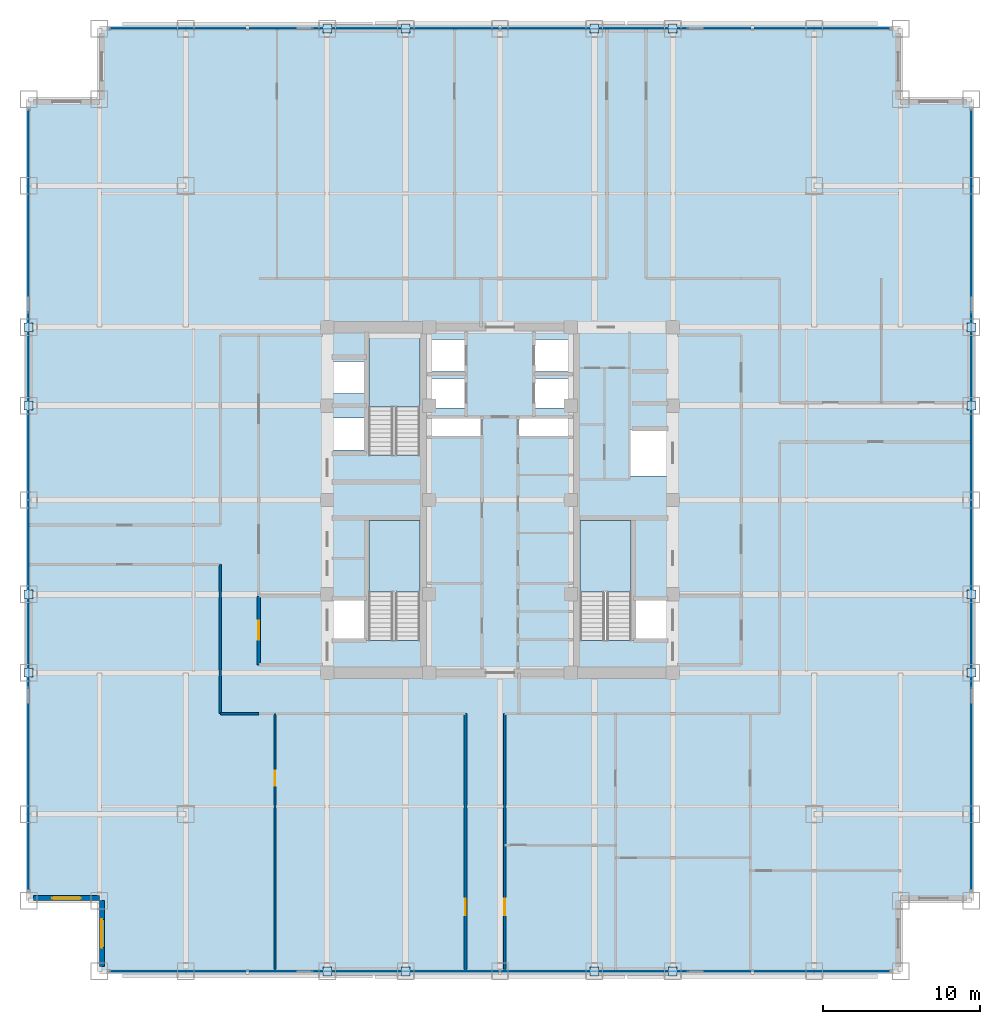
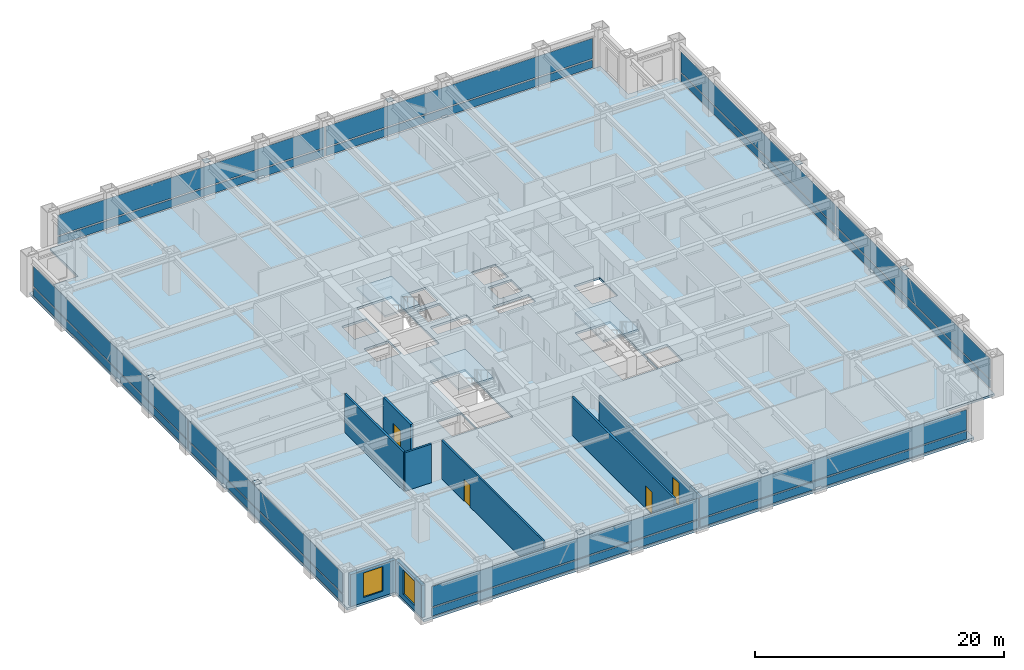
# One storey, part 19 of 28: 32 plates, 8 walls, 4 doors, 4 slabs, 2 windows, 6 openings, 7 elements without a shape of their own.
"""IFC4 building model written with IfcOpenShell, lengths in metres."""

from ifc_helpers import new_model, si_unit, direction, frame, frame_2d, origin, origin_2d, place, context, subcontext, project, spatial, polyline, rectangle, outline, extrude, source, transform, mapped, material, layer, layer_set, type_object, element, fill, aggregate, save


model = new_model("IFC4")

# Units and contexts
model_context = context("Model", 3, precision=1e-05, world=origin(), true_north=direction((0.0, 1.0)))
body_context = subcontext(model_context, "Body", "Model", "MODEL_VIEW")
ifc_project = project(units=[si_unit("LENGTHUNIT", "METRE"), si_unit("AREAUNIT", "SQUARE_METRE"), si_unit("VOLUMEUNIT", "CUBIC_METRE"), si_unit("PLANEANGLEUNIT", "RADIAN"), si_unit("MASSUNIT", "GRAM", prefix="KILO")], contexts=[model_context])

# Site, building, storey
site_placement = place(None, origin())
site = spatial("IfcSite", under=ifc_project, at=site_placement, CompositionType="ELEMENT")
building_placement = place(site_placement, origin())
building = spatial("IfcBuilding", under=site, at=building_placement, Name="Khorayat Bourse Tower", CompositionType="ELEMENT")
storey_placement = place(building_placement, frame((0.0, 0.0, 183.10009765625)))
storey = spatial("IfcBuildingStorey", under=building, at=storey_placement, Name="L42", CompositionType="ELEMENT", Elevation=183.10009765625)

# Stair, slab
ifc_material_1 = material(Name="Concrete C40/50", Category="concrete")
stair_type = type_object("IfcStairType", Name="STR-CORE-1550", PredefinedType="HALF_TURN_STAIR", material=ifc_material_1)
stair_1_placement = place(storey_placement, origin())
stair_1 = element("IfcStair", 1, at=stair_1_placement, inside=storey, type_object=stair_type, Name="L42 Exit Stair ST-1", PredefinedType="HALF_TURN_STAIR")
ifc_layer_1 = layer(ifc_material_1, 0.199951171875)
ifc_layer_set_1 = layer_set([ifc_layer_1], Name="Concrete C40/50")
slab_type_1 = type_object("IfcSlabType", Name="SLB-LANDING-200", PredefinedType="LANDING", material=ifc_layer_set_1)
slab_1_placement = place(storey_placement, frame((0.0, 0.0, 1.7998046875)))
slab_1 = element("IfcSlab", 2, at=slab_1_placement, type_object=slab_type_1, Name="ST-1 landing 1", PredefinedType="LANDING", context=body_context, shape_type="SweptSolid", body=[
    extrude(outline(polyline([(-5.10009765625, -5.8701171875), (-5.10009765625, -1.300048828125), (-8.35009765625, -1.300048828125), (-8.35009765625, -5.8701171875), (-5.10009765625, -5.8701171875)])), origin(), (0.0, 0.0, 1.0), 0.2001953125),
])
aggregate(stair_1, [slab_1])

stair_2_placement = place(storey_placement, origin())
stair_2 = element("IfcStair", 3, at=stair_2_placement, inside=storey, type_object=stair_type, Name="L42 Exit Stair ST-2", PredefinedType="HALF_TURN_STAIR")
slab_2_placement = place(storey_placement, frame((0.0, 0.0, 1.7998046875)))
slab_2 = element("IfcSlab", 4, at=slab_2_placement, type_object=slab_type_1, Name="ST-2 landing 1", PredefinedType="LANDING", context=body_context, shape_type="SweptSolid", body=[
    extrude(outline(polyline([(-5.10009765625, 5.929931640625), (-5.10009765625, 10.5), (-8.35009765625, 10.5), (-8.35009765625, 5.929931640625), (-5.10009765625, 5.929931640625)])), origin(), (0.0, 0.0, 1.0), 0.2001953125),
])
aggregate(stair_2, [slab_2])

stair_3_placement = place(storey_placement, origin())
stair_3 = element("IfcStair", 5, at=stair_3_placement, inside=storey, type_object=stair_type, Name="L42 Exit Stair ST-3", PredefinedType="HALF_TURN_STAIR")
slab_3_placement = place(storey_placement, frame((0.0, 0.0, 1.7998046875)))
slab_3 = element("IfcSlab", 6, at=slab_3_placement, type_object=slab_type_1, Name="ST-3 landing 1", PredefinedType="LANDING", context=body_context, shape_type="SweptSolid", body=[
    extrude(outline(polyline([(8.35009765625, -5.8701171875), (8.35009765625, -1.300048828125), (5.10009765625, -1.300048828125), (5.10009765625, -5.8701171875), (8.35009765625, -5.8701171875)])), origin(), (0.0, 0.0, 1.0), 0.2001953125),
])
aggregate(stair_3, [slab_3])

# Slab
ifc_layer_2 = layer(ifc_material_1, 0.219970703125)
ifc_layer_set_2 = layer_set([ifc_layer_2], Name="Concrete C40/50")
slab_type_2 = type_object("IfcSlabType", Name="SLB-OFFICE-220", PredefinedType="FLOOR", material=ifc_layer_set_2)
slab_4_placement = place(storey_placement, frame((0.0, 0.0, -0.22021484375)))
element("IfcSlab", 7, at=slab_4_placement, inside=storey, type_object=slab_type_2, Name="L42 Main Floor Slab", PredefinedType="FLOOR", context=body_context, shape_type="SweptSolid", body=[
    extrude(outline(polyline([(-25.5, -30.0), (25.5, -30.0), (25.5, -25.5), (30.0, -25.5), (30.0, 25.5), (25.5, 25.5), (25.5, 30.0), (-25.5, 30.0), (-25.5, 25.5), (-30.0, 25.5), (-30.0, -25.5), (-25.5, -25.5), (-25.5, -30.0)]), holes=[polyline([(-8.35009765625, -8.945068359375), (-5.10009765625, -8.945068359375), (-5.10009765625, -1.300048828125), (-8.35009765625, -1.300048828125), (-8.35009765625, -8.945068359375)]), polyline([(-8.35009765625, 2.85498046875), (-5.10009765625, 2.85498046875), (-5.10009765625, 10.5), (-8.35009765625, 10.5), (-8.35009765625, 2.85498046875)]), polyline([(5.10009765625, -8.945068359375), (8.35009765625, -8.945068359375), (8.35009765625, -1.300048828125), (5.10009765625, -1.300048828125), (5.10009765625, -8.945068359375)]), polyline([(-4.3798828125, 8.169921875), (-2.1201171875, 8.169921875), (-2.1201171875, 10.22998046875), (-4.3798828125, 10.22998046875), (-4.3798828125, 8.169921875)]), polyline([(2.1201171875, 8.169921875), (4.3798828125, 8.169921875), (4.3798828125, 10.22998046875), (2.1201171875, 10.22998046875), (2.1201171875, 8.169921875)]), polyline([(-4.3798828125, 5.8701171875), (-2.219970703125, 5.8701171875), (-2.219970703125, 7.72998046875), (-4.3798828125, 7.72998046875), (-4.3798828125, 5.8701171875)]), polyline([(2.219970703125, 5.8701171875), (4.3798828125, 5.8701171875), (4.3798828125, 7.72998046875), (2.219970703125, 7.72998046875), (2.219970703125, 5.8701171875)]), polyline([(-10.679931640625, 3.169921875), (-8.419921875, 3.169921875), (-8.419921875, 5.22998046875), (-10.679931640625, 5.22998046875), (-10.679931640625, 3.169921875)]), polyline([(-10.679931640625, 6.77001953125), (-8.419921875, 6.77001953125), (-8.419921875, 8.830078125), (-10.679931640625, 8.830078125), (-10.679931640625, 6.77001953125)]), polyline([(-10.679931640625, -8.929931640625), (-8.419921875, -8.929931640625), (-8.419921875, -6.3701171875), (-10.679931640625, -6.3701171875), (-10.679931640625, -8.929931640625)]), polyline([(8.419921875, -8.929931640625), (10.679931640625, -8.929931640625), (10.679931640625, -6.3701171875), (8.419921875, -6.3701171875), (8.419921875, -8.929931640625)]), polyline([(8.320068359375, 1.52001953125), (10.679931640625, 1.52001953125), (10.679931640625, 4.47998046875), (8.320068359375, 4.47998046875), (8.320068359375, 1.52001953125)]), polyline([(-4.56005859375, 4.080078125), (-1.18994140625, 4.080078125), (-1.18994140625, 5.219970703125), (-4.56005859375, 5.219970703125), (-4.56005859375, 4.080078125)]), polyline([(1.18994140625, 4.080078125), (4.56005859375, 4.080078125), (4.56005859375, 5.219970703125), (1.18994140625, 5.219970703125), (1.18994140625, 4.080078125)])]), origin(), (0.0, 0.0, 1.0), 0.22021484375),
])

# Plates
ifc_material_2 = material(Name="Steel EN 10025-2 S355J2", Category="steel")
ifc_layer_3 = layer(ifc_material_2, 0.02490234375)
ifc_layer_set_3 = layer_set([ifc_layer_3], Name="Steel EN 10025-2 S355J2")
plate_type_1 = type_object("IfcPlateType", Name="PLT-ENDCAP-25", PredefinedType="SHEET", material=ifc_layer_set_3)
shared_shape_1 = source(origin(), body_context, "Body", "SweptSolid", [
    extrude(rectangle(XDim=0.56005859375, YDim=0.56005859375, at=origin_2d()), origin(), (0.0, 0.0, 1.0), 0.02490234375),
])
for number, where, z_axis, x_axis, name in (
    (8, (-11.0, -30.0, 3.517333984375), (0.0, 0.0, 1.0), (1.0, 0.0, 0.0), "L42 Perimeter Brace End Plate 001"),
    (9, (-6.0, -30.0, 0.237548828125), (0.0, 0.0, 1.0), (1.0, 0.0, 0.0), "L42 Perimeter Brace End Plate 002"),
    (10, (6.0, -30.0, 3.517333984375), (0.0, 0.0, 1.0), (1.0, 0.0, 0.0), "L42 Perimeter Brace End Plate 003"),
    (11, (11.0, -30.0, 0.237548828125), (0.0, 0.0, 1.0), (1.0, 0.0, 0.0), "L42 Perimeter Brace End Plate 004"),
    (12, (-11.0, 30.0, 3.517333984375), (0.0, 0.0, 1.0), (1.0, 0.0, 0.0), "L42 Perimeter Brace End Plate 005"),
    (13, (-6.0, 30.0, 0.237548828125), (0.0, 0.0, 1.0), (1.0, 0.0, 0.0), "L42 Perimeter Brace End Plate 006"),
    (14, (6.0, 30.0, 3.517333984375), (0.0, 0.0, 1.0), (1.0, 0.0, 0.0), "L42 Perimeter Brace End Plate 007"),
    (15, (11.0, 30.0, 0.237548828125), (0.0, 0.0, 1.0), (1.0, 0.0, 0.0), "L42 Perimeter Brace End Plate 008"),
    (16, (-30.0, -11.0, 3.517333984375), (0.0, 0.0, 1.0), (1.0, 0.0, 0.0), "L42 Perimeter Brace End Plate 009"),
    (17, (-30.0, -6.0, 0.237548828125), (0.0, 0.0, 1.0), (1.0, 0.0, 0.0), "L42 Perimeter Brace End Plate 010"),
    (18, (-30.0, 6.0, 3.517333984375), (0.0, 0.0, 1.0), (1.0, 0.0, 0.0), "L42 Perimeter Brace End Plate 011"),
    (19, (-30.0, 11.0, 0.237548828125), (0.0, 0.0, 1.0), (1.0, 0.0, 0.0), "L42 Perimeter Brace End Plate 012"),
    (20, (30.0, -11.0, 3.517333984375), (0.0, 0.0, 1.0), (1.0, 0.0, 0.0), "L42 Perimeter Brace End Plate 013"),
    (21, (30.0, -6.0, 0.237548828125), (0.0, 0.0, 1.0), (1.0, 0.0, 0.0), "L42 Perimeter Brace End Plate 014"),
    (22, (30.0, 6.0, 3.517333984375), (0.0, 0.0, 1.0), (1.0, 0.0, 0.0), "L42 Perimeter Brace End Plate 015"),
    (23, (30.0, 11.0, 0.237548828125), (0.0, 0.0, 1.0), (1.0, 0.0, 0.0), "L42 Perimeter Brace End Plate 016"),
):
    element("IfcPlate", number, at=place(storey_placement, frame(where, z_axis=z_axis, x_axis=x_axis)), inside=storey, type_object=plate_type_1, Name=name, PredefinedType="SHEET", context=body_context, shape_type="MappedRepresentation", body=[
        mapped(shared_shape_1, transform((0.0, 0.0, 0.0), scale=1.0)),
    ])

# Curtain wall, plates
ifc_material_3 = material(Name="Aluminium EN AW-6063 T6", Category="aluminium")
curtain_wall_type = type_object("IfcCurtainWallType", Name="CW-SYS-03", PredefinedType="NOTDEFINED", material=ifc_material_3)
curtain_wall_1_placement = place(storey_placement, origin())
curtain_wall_1 = element("IfcCurtainWall", 24, at=curtain_wall_1_placement, inside=storey, type_object=curtain_wall_type, Name="L42 Curtain Wall CW-L42-S1", PredefinedType="NOTDEFINED")
ifc_material_4 = material(Name="Honed desert limestone insulated spandrel", Category="masonry")
ifc_layer_4 = layer(ifc_material_4, 0.06494140625)
ifc_layer_set_4 = layer_set([ifc_layer_4], Name="Honed desert limestone insulated spandrel")
plate_type_2 = type_object("IfcPlateType", Name="CWP-SPAND-03", PredefinedType="CURTAIN_PANEL", material=ifc_layer_set_4)
shared_shape_2 = source(origin(), body_context, "Body", "SweptSolid", [
    extrude(rectangle(XDim=24.719970703125, YDim=0.06494140625, at=origin_2d()), origin(), (0.0, 0.0, 1.0), 0.77001953125),
])
plate_1_placement = place(storey_placement, frame((-12.419921875, -30.0, 0.119873046875), z_axis=(0.0, 0.0, 1.0), x_axis=(1.0, 0.0, 0.0)))
plate_1 = element("IfcPlate", 25, at=plate_1_placement, type_object=plate_type_2, Name="CW-L42-S1 Spandrel Panel 1-1", PredefinedType="CURTAIN_PANEL", context=body_context, shape_type="MappedRepresentation", body=[
    mapped(shared_shape_2, transform((0.0, 0.0, 0.0), scale=1.0)),
])
plate_2_placement = place(storey_placement, frame((12.419921875, -30.0, 0.119873046875), z_axis=(0.0, 0.0, 1.0), x_axis=(1.0, 0.0, 0.0)))
plate_2 = element("IfcPlate", 26, at=plate_2_placement, type_object=plate_type_2, Name="CW-L42-S1 Spandrel Panel 2-1", PredefinedType="CURTAIN_PANEL", context=body_context, shape_type="MappedRepresentation", body=[
    mapped(shared_shape_2, transform((0.0, 0.0, 0.0), scale=1.0)),
])

curtain_wall_2_placement = place(storey_placement, origin())
curtain_wall_2 = element("IfcCurtainWall", 27, at=curtain_wall_2_placement, inside=storey, type_object=curtain_wall_type, Name="L42 Curtain Wall CW-L42-N1", PredefinedType="NOTDEFINED")
plate_3_placement = place(storey_placement, frame((-12.419921875, 30.0, 0.119873046875), z_axis=(0.0, 0.0, 1.0), x_axis=(1.0, 0.0, 0.0)))
plate_3 = element("IfcPlate", 28, at=plate_3_placement, type_object=plate_type_2, Name="CW-L42-N1 Spandrel Panel 1-1", PredefinedType="CURTAIN_PANEL", context=body_context, shape_type="MappedRepresentation", body=[
    mapped(shared_shape_2, transform((0.0, 0.0, 0.0), scale=1.0)),
])
plate_4_placement = place(storey_placement, frame((12.419921875, 30.0, 0.119873046875), z_axis=(0.0, 0.0, 1.0), x_axis=(1.0, 0.0, 0.0)))
plate_4 = element("IfcPlate", 29, at=plate_4_placement, type_object=plate_type_2, Name="CW-L42-N1 Spandrel Panel 2-1", PredefinedType="CURTAIN_PANEL", context=body_context, shape_type="MappedRepresentation", body=[
    mapped(shared_shape_2, transform((0.0, 0.0, 0.0), scale=1.0)),
])

curtain_wall_3_placement = place(storey_placement, origin())
curtain_wall_3 = element("IfcCurtainWall", 30, at=curtain_wall_3_placement, inside=storey, type_object=curtain_wall_type, Name="L42 Curtain Wall CW-L42-W1", PredefinedType="NOTDEFINED")
plate_5_placement = place(storey_placement, frame((-30.0, -12.419921875, 0.119873046875), z_axis=(0.0, 0.0, 1.0), x_axis=(0.0, 1.0, 0.0)))
plate_5 = element("IfcPlate", 31, at=plate_5_placement, type_object=plate_type_2, Name="CW-L42-W1 Spandrel Panel 1-1", PredefinedType="CURTAIN_PANEL", context=body_context, shape_type="MappedRepresentation", body=[
    mapped(shared_shape_2, transform((0.0, 0.0, 0.0), scale=1.0)),
])
plate_6_placement = place(storey_placement, frame((-30.0, 12.419921875, 0.119873046875), z_axis=(0.0, 0.0, 1.0), x_axis=(0.0, 1.0, 0.0)))
plate_6 = element("IfcPlate", 32, at=plate_6_placement, type_object=plate_type_2, Name="CW-L42-W1 Spandrel Panel 2-1", PredefinedType="CURTAIN_PANEL", context=body_context, shape_type="MappedRepresentation", body=[
    mapped(shared_shape_2, transform((0.0, 0.0, 0.0), scale=1.0)),
])

curtain_wall_4_placement = place(storey_placement, origin())
curtain_wall_4 = element("IfcCurtainWall", 33, at=curtain_wall_4_placement, inside=storey, type_object=curtain_wall_type, Name="L42 Curtain Wall CW-L42-E1", PredefinedType="NOTDEFINED")
plate_7_placement = place(storey_placement, frame((30.0, -12.419921875, 0.119873046875), z_axis=(0.0, 0.0, 1.0), x_axis=(0.0, 1.0, 0.0)))
plate_7 = element("IfcPlate", 34, at=plate_7_placement, type_object=plate_type_2, Name="CW-L42-E1 Spandrel Panel 1-1", PredefinedType="CURTAIN_PANEL", context=body_context, shape_type="MappedRepresentation", body=[
    mapped(shared_shape_2, transform((0.0, 0.0, 0.0), scale=1.0)),
])
plate_8_placement = place(storey_placement, frame((30.0, 12.419921875, 0.119873046875), z_axis=(0.0, 0.0, 1.0), x_axis=(0.0, 1.0, 0.0)))
plate_8 = element("IfcPlate", 35, at=plate_8_placement, type_object=plate_type_2, Name="CW-L42-E1 Spandrel Panel 2-1", PredefinedType="CURTAIN_PANEL", context=body_context, shape_type="MappedRepresentation", body=[
    mapped(shared_shape_2, transform((0.0, 0.0, 0.0), scale=1.0)),
])

# Plate
ifc_material_5 = material(Name="Low-E solar-control laminated double glazing", Category="glass")
ifc_layer_5 = layer(ifc_material_5, 0.035888671875)
ifc_layer_set_5 = layer_set([ifc_layer_5], Name="Low-E solar-control laminated double glazing")
plate_type_3 = type_object("IfcPlateType", Name="CWP-VIS-01", PredefinedType="CURTAIN_PANEL", material=ifc_layer_set_5)
shared_shape_3 = source(origin(), body_context, "Body", "SweptSolid", [
    extrude(rectangle(XDim=24.719970703125, YDim=0.035888671875, at=origin_2d()), origin(), (0.0, 0.0, 1.0), 2.0),
])
plate_9_placement = place(storey_placement, frame((-12.419921875, -30.0, 1.010009765625), z_axis=(0.0, 0.0, 1.0), x_axis=(1.0, 0.0, 0.0)))
plate_9 = element("IfcPlate", 36, at=plate_9_placement, type_object=plate_type_3, Name="CW-L42-S1 Vision Panel 1-2", PredefinedType="CURTAIN_PANEL", context=body_context, shape_type="MappedRepresentation", body=[
    mapped(shared_shape_3, transform((0.0, 0.0, 0.0), scale=1.0)),
])

plate_10_placement = place(storey_placement, frame((12.419921875, -30.0, 1.010009765625), z_axis=(0.0, 0.0, 1.0), x_axis=(1.0, 0.0, 0.0)))
plate_10 = element("IfcPlate", 37, at=plate_10_placement, type_object=plate_type_3, Name="CW-L42-S1 Vision Panel 2-2", PredefinedType="CURTAIN_PANEL", context=body_context, shape_type="MappedRepresentation", body=[
    mapped(shared_shape_3, transform((0.0, 0.0, 0.0), scale=1.0)),
])

aggregate(curtain_wall_1, [plate_1, plate_9, plate_2, plate_10])

plate_11_placement = place(storey_placement, frame((-12.419921875, 30.0, 1.010009765625), z_axis=(0.0, 0.0, 1.0), x_axis=(1.0, 0.0, 0.0)))
plate_11 = element("IfcPlate", 38, at=plate_11_placement, type_object=plate_type_3, Name="CW-L42-N1 Vision Panel 1-2", PredefinedType="CURTAIN_PANEL", context=body_context, shape_type="MappedRepresentation", body=[
    mapped(shared_shape_3, transform((0.0, 0.0, 0.0), scale=1.0)),
])

plate_12_placement = place(storey_placement, frame((12.419921875, 30.0, 1.010009765625), z_axis=(0.0, 0.0, 1.0), x_axis=(1.0, 0.0, 0.0)))
plate_12 = element("IfcPlate", 39, at=plate_12_placement, type_object=plate_type_3, Name="CW-L42-N1 Vision Panel 2-2", PredefinedType="CURTAIN_PANEL", context=body_context, shape_type="MappedRepresentation", body=[
    mapped(shared_shape_3, transform((0.0, 0.0, 0.0), scale=1.0)),
])

aggregate(curtain_wall_2, [plate_3, plate_11, plate_4, plate_12])

plate_13_placement = place(storey_placement, frame((-30.0, -12.419921875, 1.010009765625), z_axis=(0.0, 0.0, 1.0), x_axis=(0.0, 1.0, 0.0)))
plate_13 = element("IfcPlate", 40, at=plate_13_placement, type_object=plate_type_3, Name="CW-L42-W1 Vision Panel 1-2", PredefinedType="CURTAIN_PANEL", context=body_context, shape_type="MappedRepresentation", body=[
    mapped(shared_shape_3, transform((0.0, 0.0, 0.0), scale=1.0)),
])

plate_14_placement = place(storey_placement, frame((-30.0, 12.419921875, 1.010009765625), z_axis=(0.0, 0.0, 1.0), x_axis=(0.0, 1.0, 0.0)))
plate_14 = element("IfcPlate", 41, at=plate_14_placement, type_object=plate_type_3, Name="CW-L42-W1 Vision Panel 2-2", PredefinedType="CURTAIN_PANEL", context=body_context, shape_type="MappedRepresentation", body=[
    mapped(shared_shape_3, transform((0.0, 0.0, 0.0), scale=1.0)),
])

aggregate(curtain_wall_3, [plate_5, plate_13, plate_6, plate_14])

plate_15_placement = place(storey_placement, frame((30.0, -12.419921875, 1.010009765625), z_axis=(0.0, 0.0, 1.0), x_axis=(0.0, 1.0, 0.0)))
plate_15 = element("IfcPlate", 42, at=plate_15_placement, type_object=plate_type_3, Name="CW-L42-E1 Vision Panel 1-2", PredefinedType="CURTAIN_PANEL", context=body_context, shape_type="MappedRepresentation", body=[
    mapped(shared_shape_3, transform((0.0, 0.0, 0.0), scale=1.0)),
])

plate_16_placement = place(storey_placement, frame((30.0, 12.419921875, 1.010009765625), z_axis=(0.0, 0.0, 1.0), x_axis=(0.0, 1.0, 0.0)))
plate_16 = element("IfcPlate", 43, at=plate_16_placement, type_object=plate_type_3, Name="CW-L42-E1 Vision Panel 2-2", PredefinedType="CURTAIN_PANEL", context=body_context, shape_type="MappedRepresentation", body=[
    mapped(shared_shape_3, transform((0.0, 0.0, 0.0), scale=1.0)),
])

aggregate(curtain_wall_4, [plate_7, plate_15, plate_8, plate_16])

# Wall, opening, window
ifc_material_6 = material(Name="Precast concrete C45/55", Category="concrete")
ifc_layer_6 = layer(ifc_material_6, 0.320068359375)
ifc_layer_set_6 = layer_set([ifc_layer_6], Name="Precast concrete C45/55")
wall_type_1 = type_object("IfcWallType", Name="WAL-EXT-STONE-320", PredefinedType="STANDARD", material=ifc_layer_set_6)
shared_shape_4 = source(origin(), body_context, "Body", "SweptSolid", [
    extrude(rectangle(XDim=4.179931640625, YDim=0.320068359375, at=frame_2d((2.08984375, 0.0))), origin(), (0.0, 0.0, 1.0), 3.163818359375),
])
wall_1_placement = place(storey_placement, frame((-25.5, -25.340087890625, 0.0), z_axis=(0.0, 0.0, 1.0), x_axis=(-1.0, 0.0, 0.0)))
wall_1 = element("IfcWall", 44, at=wall_1_placement, inside=storey, type_object=wall_type_1, Name="L42 Re-Entrant Notch Limestone Wall SW-H", PredefinedType="STANDARD", context=body_context, shape_type="MappedRepresentation", body=[
    mapped(shared_shape_4, transform((0.0, 0.0, 0.0), scale=1.0)),
])
shared_shape_5 = source(origin(), body_context, "Body", "SweptSolid", [
    extrude(rectangle(XDim=1.800048828125, YDim=2.39990234375, at=frame_2d((0.89990234375, 1.199951171875))), frame((0.0, 0.169921875, 0.0), z_axis=(0.0, -1.0, 0.0), x_axis=(1.0, 0.0, 0.0)), (0.0, 0.0, 1.0), 0.340087890625),
])
opening_1_placement = place(wall_1_placement, frame((1.18994140625, 0.0, 0.5)))
opening_1 = element("IfcOpeningElement", 45, at=opening_1_placement, cuts=wall_1, Name="Opening WN-04", PredefinedType="OPENING", context=body_context, shape_type="MappedRepresentation", body=[
    mapped(shared_shape_5, transform((0.0, 0.0, 0.0), scale=1.0)),
])
ifc_material_7 = material(Name="Low-E acoustic laminated double glazing", Category="glass")
window_type = type_object("IfcWindowType", Name="WIN-NOTCH-1800x2400", PartitioningType="SINGLE_PANEL", PredefinedType="WINDOW", material=ifc_material_7)
shared_shape_6 = source(origin(), body_context, "Body", "SweptSolid", [
    extrude(rectangle(XDim=1.800048828125, YDim=2.39990234375, at=frame_2d((0.89990234375, 1.199951171875))), frame((0.0, 0.030029296875, 0.0), z_axis=(0.0, -1.0, 0.0), x_axis=(1.0, 0.0, 0.0)), (0.0, 0.0, 1.0), 0.06005859375),
])
window_1_placement = place(opening_1_placement, origin())
window_1 = element("IfcWindow", 46, at=window_1_placement, inside=storey, type_object=window_type, Name="L42 Facade Window 1", OverallHeight=2.39990234375, OverallWidth=1.800048828125, PartitioningType="SINGLE_PANEL", PredefinedType="WINDOW", context=body_context, shape_type="MappedRepresentation", body=[
    mapped(shared_shape_6, transform((0.0, 0.0, 0.0), scale=1.0)),
])
fill(opening_1, window_1)

wall_2_placement = place(storey_placement, frame((-25.340087890625, -29.679931640625, 0.0), z_axis=(0.0, 0.0, 1.0), x_axis=(0.0, 1.0, 0.0)))
wall_2 = element("IfcWall", 47, at=wall_2_placement, inside=storey, type_object=wall_type_1, Name="L42 Re-Entrant Notch Limestone Wall SW-V", PredefinedType="STANDARD", context=body_context, shape_type="MappedRepresentation", body=[
    mapped(shared_shape_4, transform((0.0, 0.0, 0.0), scale=1.0)),
])
opening_2_placement = place(wall_2_placement, frame((1.18994140625, 0.0, 0.5)))
opening_2 = element("IfcOpeningElement", 48, at=opening_2_placement, cuts=wall_2, Name="Opening WN-04", PredefinedType="OPENING", context=body_context, shape_type="MappedRepresentation", body=[
    mapped(shared_shape_5, transform((0.0, 0.0, 0.0), scale=1.0)),
])
window_2_placement = place(opening_2_placement, origin())
window_2 = element("IfcWindow", 49, at=window_2_placement, inside=storey, type_object=window_type, Name="L42 Facade Window 1", OverallHeight=2.39990234375, OverallWidth=1.800048828125, PartitioningType="SINGLE_PANEL", PredefinedType="WINDOW", context=body_context, shape_type="MappedRepresentation", body=[
    mapped(shared_shape_6, transform((0.0, 0.0, 0.0), scale=1.0)),
])
fill(opening_2, window_2)

# Wall, opening, door
ifc_material_8 = material(Name="Aerated concrete blockwork", Category="masonry")
ifc_layer_7 = layer(ifc_material_8, 0.219970703125)
ifc_layer_set_7 = layer_set([ifc_layer_7], Name="Aerated concrete blockwork")
wall_type_2 = type_object("IfcWallType", Name="WAL-PART-FF-220", PredefinedType="PARTITIONING", material=ifc_layer_set_7)
shared_shape_7 = source(origin(), body_context, "Body", "SweptSolid", [
    extrude(rectangle(XDim=4.39990234375, YDim=0.219970703125, at=frame_2d((2.199951171875, 0.0))), origin(), (0.0, 0.0, 1.0), 3.77978515625),
])
wall_3_placement = place(storey_placement, frame((-15.35009765625, -10.5, 0.0), z_axis=(0.0, 0.0, 1.0), x_axis=(0.0, 1.0, 0.0)))
wall_3 = element("IfcWall", 50, at=wall_3_placement, inside=storey, type_object=wall_type_2, Name="L42 Partition WAL-L42-FFLW-W", PredefinedType="PARTITIONING", context=body_context, shape_type="MappedRepresentation", body=[
    mapped(shared_shape_7, transform((0.0, 0.0, 0.0), scale=1.0)),
])
shared_shape_8 = source(origin(), body_context, "Body", "SweptSolid", [
    extrude(rectangle(XDim=1.199951171875, YDim=2.199951171875, at=frame_2d((0.60009765625, 1.10009765625))), frame((0.0, 0.119873046875, 0.0), z_axis=(0.0, -1.0, 0.0), x_axis=(1.0, 0.0, 0.0)), (0.0, 0.0, 1.0), 0.239990234375),
])
opening_3_placement = place(wall_3_placement, frame((1.60009765625, 0.0, 0.0)))
opening_3 = element("IfcOpeningElement", 51, at=opening_3_placement, cuts=wall_3, Name="Opening DI-02", PredefinedType="OPENING", context=body_context, shape_type="MappedRepresentation", body=[
    mapped(shared_shape_8, transform((0.0, 0.0, 0.0), scale=1.0)),
])
ifc_material_9 = material(Name="Fire-rated steel double-seal leaf", Category="steel")
door_type_1 = type_object("IfcDoorType", Name="DR-INT-FFLOBBY-1200", OperationType="NOTDEFINED", PredefinedType="DOOR", material=ifc_material_9)
shared_shape_9 = source(origin(), body_context, "Body", "SweptSolid", [
    extrude(rectangle(XDim=1.199951171875, YDim=2.199951171875, at=frame_2d((0.60009765625, 1.10009765625))), frame((0.0, 0.02490234375, 0.0), z_axis=(0.0, -1.0, 0.0), x_axis=(1.0, 0.0, 0.0)), (0.0, 0.0, 1.0), 0.050048828125),
])
door_1_placement = place(opening_3_placement, origin())
door_1 = element("IfcDoor", 52, at=door_1_placement, inside=storey, type_object=door_type_1, Name="L42 West Firefighting Lobby Door", OperationType="SINGLE_SWING_LEFT", OverallHeight=2.199951171875, OverallWidth=1.199951171875, PredefinedType="DOOR", context=body_context, shape_type="MappedRepresentation", body=[
    mapped(shared_shape_9, transform((0.0, 0.0, 0.0), scale=1.0)),
])
fill(opening_3, door_1)

# Wall
ifc_material_10 = material(Name="Gypsum plasterboard acoustic stud wall")
ifc_layer_8 = layer(ifc_material_10, 0.179931640625)
ifc_layer_set_8 = layer_set([ifc_layer_8], Name="Gypsum plasterboard acoustic stud wall")
wall_type_3 = type_object("IfcWallType", Name="WAL-PART-CORR-180", PredefinedType="PARTITIONING", material=ifc_layer_set_8)
shared_shape_10 = source(origin(), body_context, "Body", "SweptSolid", [
    extrude(rectangle(XDim=2.449951171875, YDim=0.179931640625, at=frame_2d((1.22509765625, 0.0))), origin(), (0.0, 0.0, 1.0), 3.77978515625),
])
wall_4_placement = place(storey_placement, frame((-17.800048828125, -13.60009765625, 0.0), z_axis=(0.0, 0.0, 1.0), x_axis=(1.0, 0.0, 0.0)))
element("IfcWall", 53, at=wall_4_placement, inside=storey, type_object=wall_type_3, Name="L42 Partition WAL-L42-C2-WS", PredefinedType="PARTITIONING", context=body_context, shape_type="MappedRepresentation", body=[
    mapped(shared_shape_10, transform((0.0, 0.0, 0.0), scale=1.0)),
])

# Wall, opening, door
shared_shape_11 = source(origin(), body_context, "Body", "SweptSolid", [
    extrude(rectangle(XDim=16.39990234375, YDim=0.179931640625, at=frame_2d((8.199951171875, 0.0))), origin(), (0.0, 0.0, 1.0), 3.0068359375),
])
wall_5_placement = place(storey_placement, frame((0.300048828125, -30.0, 0.0), z_axis=(0.0, 0.0, 1.0), x_axis=(0.0, 1.0, 0.0)))
wall_5 = element("IfcWall", 54, at=wall_5_placement, inside=storey, type_object=wall_type_3, Name="L42 Partition WAL-L42-QSE-SPK", PredefinedType="PARTITIONING", context=body_context, shape_type="MappedRepresentation", body=[
    mapped(shared_shape_11, transform((0.0, 0.0, 0.0), scale=1.0)),
])
shared_shape_12 = source(origin(), body_context, "Body", "SweptSolid", [
    extrude(rectangle(XDim=1.050048828125, YDim=2.199951171875, at=frame_2d((0.52490234375, 1.10009765625))), frame((0.0, 0.099853515625, 0.0), z_axis=(0.0, -1.0, 0.0), x_axis=(1.0, 0.0, 0.0)), (0.0, 0.0, 1.0), 0.199951171875),
])
opening_4_placement = place(wall_5_placement, frame((3.574951171875, 0.0, 0.0)))
opening_4 = element("IfcOpeningElement", 55, at=opening_4_placement, cuts=wall_5, Name="Opening DI-04", PredefinedType="OPENING", context=body_context, shape_type="MappedRepresentation", body=[
    mapped(shared_shape_12, transform((0.0, 0.0, 0.0), scale=1.0)),
])
ifc_material_11 = material(Name="Fire-rated oak veneer suite entrance door")
door_type_2 = type_object("IfcDoorType", Name="DR-INT-SUITE-1050", OperationType="NOTDEFINED", PredefinedType="DOOR", material=ifc_material_11)
shared_shape_13 = source(origin(), body_context, "Body", "SweptSolid", [
    extrude(rectangle(XDim=1.050048828125, YDim=2.199951171875, at=frame_2d((0.52490234375, 1.10009765625))), frame((0.0, 0.02490234375, 0.0), z_axis=(0.0, -1.0, 0.0), x_axis=(1.0, 0.0, 0.0)), (0.0, 0.0, 1.0), 0.050048828125),
])
door_2_placement = place(opening_4_placement, origin())
door_2 = element("IfcDoor", 56, at=door_2_placement, inside=storey, type_object=door_type_2, Name="L42 South-East Radial Spoke Entry", OperationType="SINGLE_SWING_LEFT", OverallHeight=2.199951171875, OverallWidth=1.050048828125, PredefinedType="DOOR", context=body_context, shape_type="MappedRepresentation", body=[
    mapped(shared_shape_13, transform((0.0, 0.0, 0.0), scale=1.0)),
])
fill(opening_4, door_2)

ifc_material_12 = material(Name="Gypsum plasterboard twin-frame partition")
ifc_layer_9 = layer(ifc_material_12, 0.14990234375)
ifc_layer_set_9 = layer_set([ifc_layer_9], Name="Gypsum plasterboard twin-frame partition")
wall_type_4 = type_object("IfcWallType", Name="WAL-PART-SUITE-150", PredefinedType="PARTITIONING", material=ifc_layer_set_9)
shared_shape_14 = source(origin(), body_context, "Body", "SweptSolid", [
    extrude(rectangle(XDim=16.39990234375, YDim=0.14990234375, at=frame_2d((8.199951171875, 0.0))), origin(), (0.0, 0.0, 1.0), 3.77978515625),
])
wall_6_placement = place(storey_placement, frame((-14.31591796875, -30.0, 0.0), z_axis=(0.0, 0.0, 1.0), x_axis=(0.0, 1.0, 0.0)))
wall_6 = element("IfcWall", 57, at=wall_6_placement, inside=storey, type_object=wall_type_4, Name="L42 Partition WAL-L42-QSWDV-1", PredefinedType="PARTITIONING", context=body_context, shape_type="MappedRepresentation", body=[
    mapped(shared_shape_14, transform((0.0, 0.0, 0.0), scale=1.0)),
])
shared_shape_15 = source(origin(), body_context, "Body", "SweptSolid", [
    extrude(rectangle(XDim=0.949951171875, YDim=2.14990234375, at=frame_2d((0.47509765625, 1.074951171875))), frame((0.0, 0.0849609375, 0.0), z_axis=(0.0, -1.0, 0.0), x_axis=(1.0, 0.0, 0.0)), (0.0, 0.0, 1.0), 0.169921875),
])
opening_5_placement = place(wall_6_placement, frame((11.824951171875, 0.0, 0.0)))
opening_5 = element("IfcOpeningElement", 58, at=opening_5_placement, cuts=wall_6, Name="Opening DI-05", PredefinedType="OPENING", context=body_context, shape_type="MappedRepresentation", body=[
    mapped(shared_shape_15, transform((0.0, 0.0, 0.0), scale=1.0)),
])
ifc_material_13 = material(Name="Acoustic oak veneer office door")
door_type_3 = type_object("IfcDoorType", Name="DR-INT-OFFICE-950", OperationType="NOTDEFINED", PredefinedType="DOOR", material=ifc_material_13)
shared_shape_16 = source(origin(), body_context, "Body", "SweptSolid", [
    extrude(rectangle(XDim=0.949951171875, YDim=2.14990234375, at=frame_2d((0.47509765625, 1.074951171875))), frame((0.0, 0.02490234375, 0.0), z_axis=(0.0, -1.0, 0.0), x_axis=(1.0, 0.0, 0.0)), (0.0, 0.0, 1.0), 0.050048828125),
])
door_3_placement = place(opening_5_placement, origin())
door_3 = element("IfcDoor", 59, at=door_3_placement, inside=storey, type_object=door_type_3, Name="L42 South-West Suite Link 1", OperationType="SINGLE_SWING_RIGHT", OverallHeight=2.14990234375, OverallWidth=0.949951171875, PredefinedType="DOOR", context=body_context, shape_type="MappedRepresentation", body=[
    mapped(shared_shape_16, transform((0.0, 0.0, 0.0), scale=1.0)),
])
fill(opening_5, door_3)

shared_shape_17 = source(origin(), body_context, "Body", "SweptSolid", [
    extrude(rectangle(XDim=16.39990234375, YDim=0.179931640625, at=frame_2d((8.199951171875, 0.0))), origin(), (0.0, 0.0, 1.0), 3.77978515625),
])
wall_7_placement = place(storey_placement, frame((-2.199951171875, -30.0, 0.0), z_axis=(0.0, 0.0, 1.0), x_axis=(0.0, 1.0, 0.0)))
wall_7 = element("IfcWall", 60, at=wall_7_placement, inside=storey, type_object=wall_type_3, Name="L42 Partition WAL-L42-QSW-SPK", PredefinedType="PARTITIONING", context=body_context, shape_type="MappedRepresentation", body=[
    mapped(shared_shape_17, transform((0.0, 0.0, 0.0), scale=1.0)),
])
opening_6_placement = place(wall_7_placement, frame((3.574951171875, 0.0, 0.0)))
opening_6 = element("IfcOpeningElement", 61, at=opening_6_placement, cuts=wall_7, Name="Opening DI-04", PredefinedType="OPENING", context=body_context, shape_type="MappedRepresentation", body=[
    mapped(shared_shape_12, transform((0.0, 0.0, 0.0), scale=1.0)),
])
door_4_placement = place(opening_6_placement, origin())
door_4 = element("IfcDoor", 62, at=door_4_placement, inside=storey, type_object=door_type_2, Name="L42 South-West Radial Spoke Entry", OperationType="SINGLE_SWING_LEFT", OverallHeight=2.199951171875, OverallWidth=1.050048828125, PredefinedType="DOOR", context=body_context, shape_type="MappedRepresentation", body=[
    mapped(shared_shape_13, transform((0.0, 0.0, 0.0), scale=1.0)),
])
fill(opening_6, door_4)

# Wall
shared_shape_18 = source(origin(), body_context, "Body", "SweptSolid", [
    extrude(rectangle(XDim=9.5, YDim=0.179931640625, at=frame_2d((4.75, 0.0))), origin(), (0.0, 0.0, 1.0), 3.77978515625),
])
wall_8_placement = place(storey_placement, frame((-17.800048828125, -13.60009765625, 0.0), z_axis=(0.0, 0.0, 1.0), x_axis=(0.0, 1.0, 0.0)))
element("IfcWall", 63, at=wall_8_placement, inside=storey, type_object=wall_type_3, Name="L42 Partition WAL-L42-WS-IN", PredefinedType="PARTITIONING", context=body_context, shape_type="MappedRepresentation", body=[
    mapped(shared_shape_18, transform((0.0, 0.0, 0.0), scale=1.0)),
])

save(model, "model.ifc")
